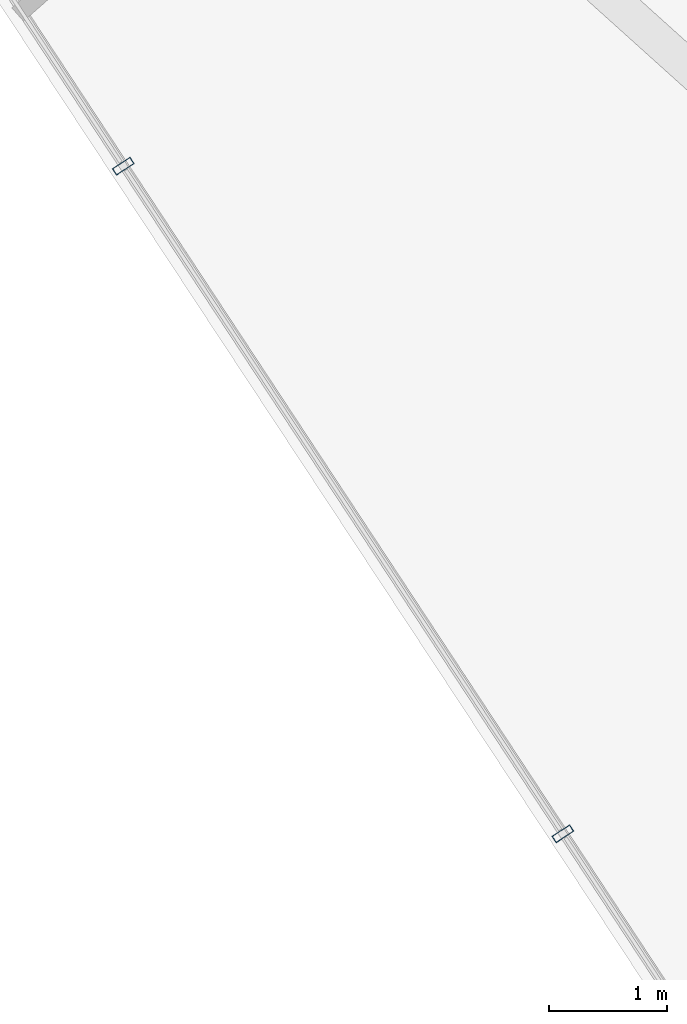
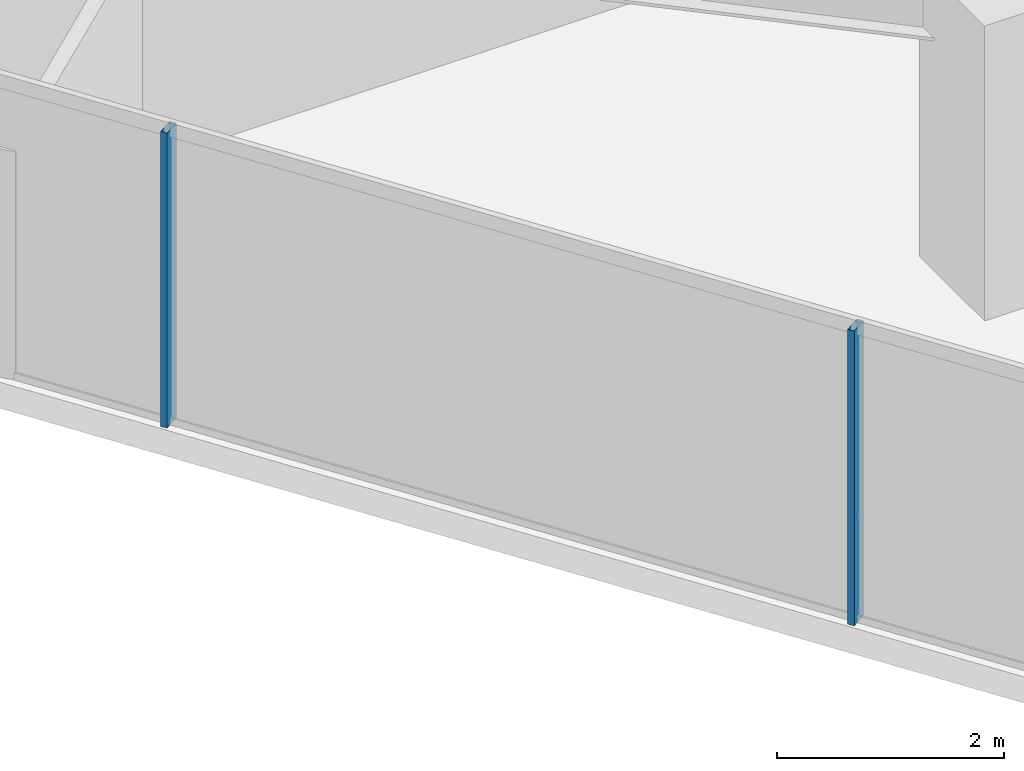
# One storey, part 2 of 30: 2 members, 1 element without a shape of its own.
"""IFC4 building model written with IfcOpenShell, lengths in metres."""

from ifc_helpers import new_model, si_unit, direction, frame, origin, origin_2d, place, context, subcontext, project, spatial, hollow_rectangle, extrude, material, layer, layer_set, material_profile, profile_set, type_object, element, aggregate, save


model = new_model("IFC4")

# Units and contexts
model_context = context("Model", 3, precision=1e-05, world=origin(), true_north=direction((0.0, 1.0)))
body_context = subcontext(model_context, "Body", "Model", "MODEL_VIEW")
ifc_project = project(units=[si_unit("LENGTHUNIT", "METRE"), si_unit("AREAUNIT", "SQUARE_METRE"), si_unit("VOLUMEUNIT", "CUBIC_METRE"), si_unit("PLANEANGLEUNIT", "RADIAN"), si_unit("MASSUNIT", "GRAM", prefix="KILO")], contexts=[model_context])

# Site, building, storey
site_placement = place(None, origin())
site = spatial("IfcSite", under=ifc_project, at=site_placement, CompositionType="ELEMENT")
building_placement = place(site_placement, origin())
building = spatial("IfcBuilding", under=site, at=building_placement, Name="Qarnah Convention Tower", CompositionType="ELEMENT")
storey_placement = place(building_placement, frame((0.0, 0.0, 79.800048828125)))
storey = spatial("IfcBuildingStorey", under=building, at=storey_placement, Name="L20", CompositionType="ELEMENT", Elevation=79.800048828125)

# Curtain wall, members
ifc_material_1 = material(Name="Tempered Low-E dark glass", Category="glass")
ifc_layer = layer(ifc_material_1, 0.169921875)
ifc_layer_set = layer_set([ifc_layer], Name="Tempered Low-E dark glass")
curtain_wall_type = type_object("IfcCurtainWallType", Name="CWS-02", PredefinedType="NOTDEFINED", material=ifc_layer_set)
curtain_wall_placement = place(storey_placement, origin())
curtain_wall = element("IfcCurtainWall", 1, at=curtain_wall_placement, inside=storey, type_object=curtain_wall_type, Name="L20 unitised curtain wall CW-L20-F3", PredefinedType="NOTDEFINED")
ifc_material_2 = material(Name="Black anodised aluminium", Category="aluminium")
ifc_material_profile = material_profile(ifc_material_2, hollow_rectangle(XDim=0.06494140625, YDim=0.179931640625, WallThickness=0.00390625, at=origin_2d()), Name="MUL-65X180")
ifc_profile_set = profile_set([ifc_material_profile], Name="Black anodised aluminium")
member_type = type_object("IfcMemberType", Name="MUL-T2", PredefinedType="MULLION", material=ifc_profile_set)
member_1_placement = place(storey_placement, frame((28.51171875, 7.536865234375, 0.0), z_axis=(0.0, 0.0, 1.0), x_axis=(-0.549904609076, 0.835227466572, 0.0)))
member_1 = element("IfcMember", 2, at=member_1_placement, type_object=member_type, Name="CW-L20-F3 mullion 2", PredefinedType="MULLION", context=body_context, shape_type="SweptSolid", body=[
    extrude(hollow_rectangle(XDim=0.06494140625, YDim=0.179931640625, WallThickness=0.00390625, at=origin_2d()), origin(), (0.0, 0.0, 1.0), 3.169921875),
])
member_2_placement = place(storey_placement, frame((24.789306640625, 13.190673828125, 0.0), z_axis=(0.0, 0.0, 1.0), x_axis=(-0.549904609076, 0.835227466572, 0.0)))
member_2 = element("IfcMember", 3, at=member_2_placement, type_object=member_type, Name="CW-L20-F3 mullion 3", PredefinedType="MULLION", context=body_context, shape_type="SweptSolid", body=[
    extrude(hollow_rectangle(XDim=0.06494140625, YDim=0.179931640625, WallThickness=0.00390625, at=origin_2d()), origin(), (0.0, 0.0, 1.0), 3.169921875),
])
aggregate(curtain_wall, [member_1, member_2])

save(model, "model.ifc")
